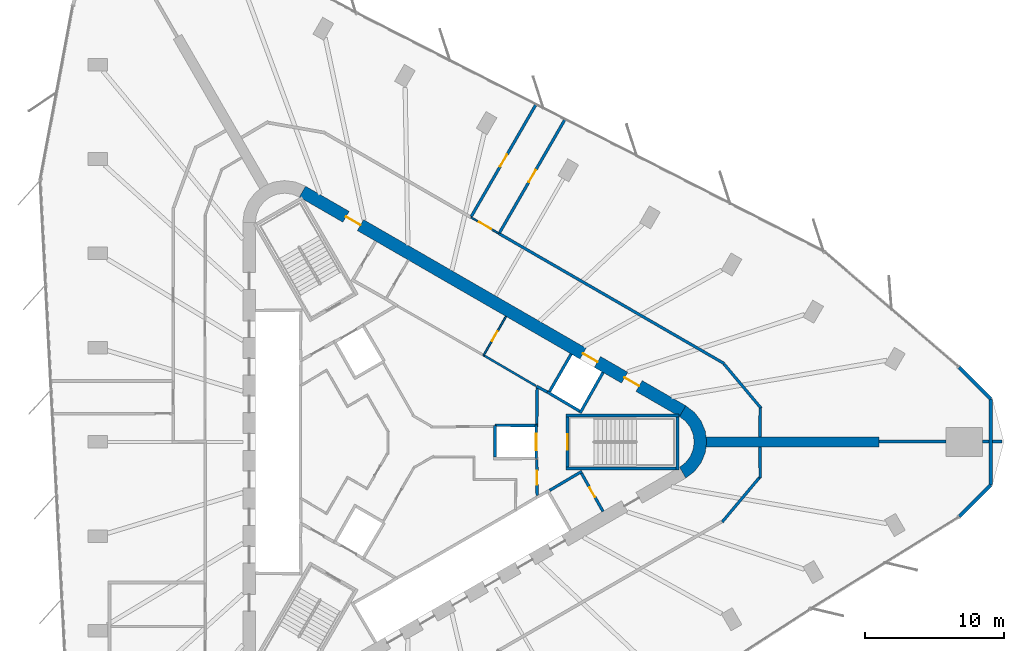
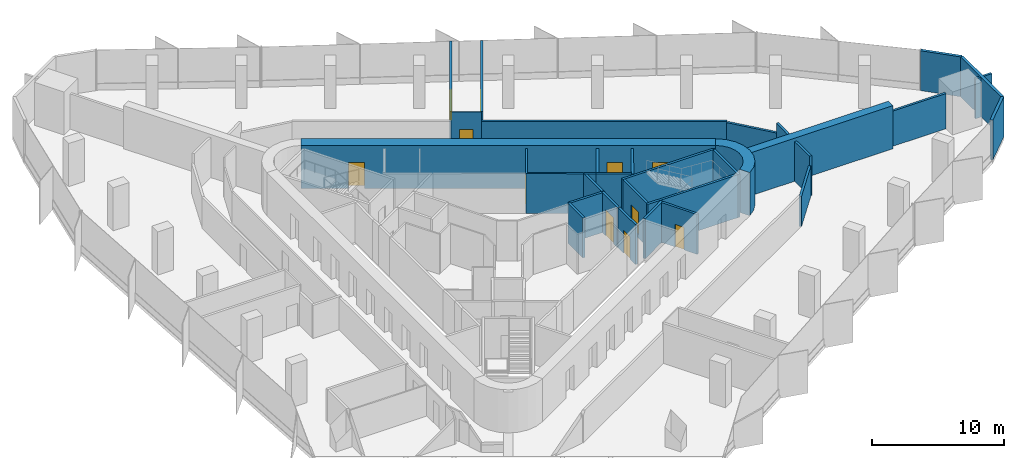
# One storey, part 11 of 13: 34 walls, 11 doors, 11 openings.
"""IFC4 building model written with IfcOpenShell, lengths in metres."""

from ifc_helpers import new_model, si_unit, direction, frame, frame_2d, origin, place, context, subcontext, project, spatial, polyline, rectangle, outline, extrude, material, layer, layer_set, type_object, element, fill, save


model = new_model("IFC4")

# Units and contexts
model_context = context("Model", 3, precision=1e-05, world=origin(), true_north=direction((0.0, 1.0)))
body_context = subcontext(model_context, "Body", "Model", "MODEL_VIEW")
ifc_project = project(units=[si_unit("LENGTHUNIT", "METRE"), si_unit("AREAUNIT", "SQUARE_METRE"), si_unit("VOLUMEUNIT", "CUBIC_METRE"), si_unit("PLANEANGLEUNIT", "RADIAN"), si_unit("MASSUNIT", "GRAM", prefix="KILO")], contexts=[model_context])

# Site, building, storey
site_placement = place(None, origin())
site = spatial("IfcSite", under=ifc_project, at=site_placement, CompositionType="ELEMENT")
building_placement = place(site_placement, origin())
building = spatial("IfcBuilding", under=site, at=building_placement, Name="Tanit Gate Tower", CompositionType="ELEMENT")
storey_placement = place(building_placement, frame((0.0, 0.0, 173.199951171875)))
storey = spatial("IfcBuildingStorey", under=building, at=storey_placement, Name="L37", CompositionType="ELEMENT", Elevation=173.199951171875)

# Wall
ifc_material_1 = material(Name="Concrete C50/60", Category="concrete")
ifc_layer_1 = layer(ifc_material_1, 0.699951171875)
ifc_layer_set_1 = layer_set([ifc_layer_1], Name="BUTTRESS FIN 700 C50/60")
wall_type_1 = type_object("IfcWallType", Name="BUTTRESS FIN 700 C50/60", PredefinedType="SHEAR", material=ifc_layer_set_1)
wall_1_placement = place(storey_placement, frame((21.14990234375, 0.0, 0.0), z_axis=(0.0, 0.0, 1.0), x_axis=(1.0, 0.0, 0.0)))
element("IfcWall", 1, at=wall_1_placement, inside=storey, type_object=wall_type_1, Name="BUTTRESS FIN", PredefinedType="SHEAR", context=body_context, shape_type="SweptSolid", body=[
    extrude(rectangle(XDim=12.4326171875, YDim=0.699951171875, at=frame_2d((6.21630859375, 0.0))), origin(), (0.0, 0.0, 1.0), 4.0),
])

# Wall, openings, doors
ifc_material_2 = material(Name="Concrete C50/60", Category="concrete")
ifc_layer_2 = layer(ifc_material_2, 0.89990234375)
ifc_layer_set_2 = layer_set([ifc_layer_2], Name="CORE WALL 900 C50/60")
wall_type_2 = type_object("IfcWallType", Name="CORE WALL 900 C50/60", PredefinedType="SHEAR", material=ifc_layer_set_2)
wall_2_placement = place(storey_placement, frame((19.47509765625, 2.20849609375, 0.0), z_axis=(0.0, 0.0, 1.0), x_axis=(-0.866028369851, 0.499994862586, 0.0)))
wall_2 = element("IfcWall", 2, at=wall_2_placement, inside=storey, type_object=wall_type_2, Name="CORE WALL", PredefinedType="SHEAR", context=body_context, shape_type="SweptSolid", body=[
    extrude(rectangle(XDim=31.523193359375, YDim=0.89990234375, at=frame_2d((15.76171875, 0.0))), origin(), (0.0, 0.0, 1.0), 4.0),
])
opening_1_placement = place(wall_2_placement, frame((7.0615234375, 0.0, 0.0)))
opening_1 = element("IfcOpeningElement", 3, at=opening_1_placement, cuts=wall_2, Name="Opening LDML8-S09", PredefinedType="OPENING", context=body_context, shape_type="SweptSolid", body=[
    extrude(rectangle(XDim=1.199951171875, YDim=2.39990234375, at=frame_2d((0.60009765625, 1.199951171875))), frame((0.0, 0.4599609375, 0.0), z_axis=(0.0, -1.0, 0.0), x_axis=(1.0, 0.0, 0.0)), (0.0, 0.0, 1.0), 0.919921875),
])
opening_2_placement = place(wall_2_placement, frame((3.611572265625, 0.0, 0.0)))
opening_2 = element("IfcOpeningElement", 4, at=opening_2_placement, cuts=wall_2, Name="Opening F12-S09-FL1", PredefinedType="OPENING", context=body_context, shape_type="SweptSolid", body=[
    extrude(rectangle(XDim=1.199951171875, YDim=2.39990234375, at=frame_2d((0.60009765625, 1.199951171875))), frame((0.0, 0.4599609375, 0.0), z_axis=(0.0, -1.0, 0.0), x_axis=(1.0, 0.0, 0.0)), (0.0, 0.0, 1.0), 0.919921875),
])
opening_3_placement = place(wall_2_placement, frame((26.711669921875, 0.0, 0.0)))
opening_3 = element("IfcOpeningElement", 5, at=opening_3_placement, cuts=wall_2, Name="Opening F12-S09-S2", PredefinedType="OPENING", context=body_context, shape_type="SweptSolid", body=[
    extrude(rectangle(XDim=1.199951171875, YDim=2.39990234375, at=frame_2d((0.60009765625, 1.199951171875))), frame((0.0, 0.4599609375, 0.0), z_axis=(0.0, -1.0, 0.0), x_axis=(1.0, 0.0, 0.0)), (0.0, 0.0, 1.0), 0.919921875),
])
ifc_material_3 = material(Name="Fire-rated steel door leaf", Category="steel")
door_type_1 = type_object("IfcDoorType", Name="INT-DOOR-FIRE-LOBBY-1200", OperationType="NOTDEFINED", PredefinedType="USERDEFINED", material=ifc_material_3)
door_1_placement = place(opening_2_placement, origin())
door_1 = element("IfcDoor", 6, at=door_1_placement, inside=storey, type_object=door_type_1, Name="Door F12-S09-FL1", ObjectType="FIRE DOOR", OperationType="SINGLE_SWING_LEFT", OverallHeight=2.39990234375, OverallWidth=1.199951171875, PredefinedType="USERDEFINED", context=body_context, shape_type="SweptSolid", body=[
    extrude(rectangle(XDim=1.199951171875, YDim=2.39990234375, at=frame_2d((0.60009765625, 1.199951171875))), frame((0.0, 0.02490234375, 0.0), z_axis=(0.0, -1.0, 0.0), x_axis=(1.0, 0.0, 0.0)), (0.0, 0.0, 1.0), 0.050048828125),
])
fill(opening_2, door_1)
door_2_placement = place(opening_3_placement, origin())
door_2 = element("IfcDoor", 7, at=door_2_placement, inside=storey, type_object=door_type_1, Name="Door F12-S09-S2", ObjectType="FIRE DOOR", OperationType="SINGLE_SWING_RIGHT", OverallHeight=2.39990234375, OverallWidth=1.199951171875, PredefinedType="USERDEFINED", context=body_context, shape_type="SweptSolid", body=[
    extrude(rectangle(XDim=1.199951171875, YDim=2.39990234375, at=frame_2d((0.60009765625, 1.199951171875))), frame((0.0, 0.02490234375, 0.0), z_axis=(0.0, -1.0, 0.0), x_axis=(1.0, 0.0, 0.0)), (0.0, 0.0, 1.0), 0.050048828125),
])
fill(opening_3, door_2)
ifc_material_4 = material(Name="Stainless steel sliding door leaf", Category="steel")
door_type_2 = type_object("IfcDoorType", Name="INT-DOOR-LANDING-1200", OperationType="NOTDEFINED", PredefinedType="USERDEFINED", material=ifc_material_4)
door_3_placement = place(opening_1_placement, origin())
door_3 = element("IfcDoor", 8, at=door_3_placement, inside=storey, type_object=door_type_2, Name="Door LDML8-S09", ObjectType="LANDING DOOR", OperationType="SLIDING_TO_LEFT", OverallHeight=2.39990234375, OverallWidth=1.199951171875, PredefinedType="USERDEFINED", context=body_context, shape_type="SweptSolid", body=[
    extrude(rectangle(XDim=1.199951171875, YDim=2.39990234375, at=frame_2d((0.60009765625, 1.199951171875))), frame((0.0, 0.02490234375, 0.0), z_axis=(0.0, -1.0, 0.0), x_axis=(1.0, 0.0, 0.0)), (0.0, 0.0, 1.0), 0.050048828125),
])
fill(opening_1, door_3)

# Walls
wall_3_placement = place(storey_placement, origin())
element("IfcWall", 9, at=wall_3_placement, inside=storey, type_object=wall_type_2, Name="CORE WALL CORNER", PredefinedType="SHEAR", context=body_context, shape_type="SweptSolid", body=[
    extrude(outline(polyline([(19.699951171875, -2.59814453125), (20.3212890625, -2.121337890625), (20.798095703125, -1.5), (21.097900390625, -0.776611328125), (21.199951171875, 0.0), (21.097900390625, 0.776611328125), (20.798095703125, 1.5), (20.3212890625, 2.121337890625), (19.699951171875, 2.59814453125), (19.25, 1.818603515625), (19.684814453125, 1.48486328125), (20.018798828125, 1.050048828125), (20.228515625, 0.54345703125), (20.300048828125, 0.0), (20.228515625, -0.54345703125), (20.018798828125, -1.050048828125), (19.684814453125, -1.48486328125), (19.25, -1.818603515625), (19.699951171875, -2.59814453125)])), origin(), (0.0, 0.0, 1.0), 4.0),
])
ifc_material_5 = material(Name="Concrete C30/37 with bronze anodised aluminium cladding", Category="concrete")
ifc_layer_3 = layer(ifc_material_5, 0.239990234375)
ifc_layer_set_3 = layer_set([ifc_layer_3], Name="Facade wall bronze clad 240")
wall_type_3 = type_object("IfcWallType", Name="Facade wall bronze clad 240", PredefinedType="SOLIDWALL", material=ifc_layer_set_3)
wall_4_placement = place(storey_placement, frame((39.323486328125, -5.360595703125, 0.0), z_axis=(0.0, 0.0, 1.0), x_axis=(0.707106781187, 0.707106781187, 0.0)))
element("IfcWall", 10, at=wall_4_placement, inside=storey, type_object=wall_type_3, Name="Bronze-clad facade wall L37 E.arc1", PredefinedType="SOLIDWALL", context=body_context, shape_type="SweptSolid", body=[
    extrude(rectangle(XDim=3.21484375, YDim=0.239990234375, at=frame_2d((1.607421875, 0.0))), origin(), (0.0, 0.0, 1.0), 3.699951171875),
])
wall_5_placement = place(storey_placement, frame((41.5966796875, -3.08740234375, 0.0), z_axis=(0.0, 0.0, 1.0), x_axis=(0.0, 1.0, 0.0)))
element("IfcWall", 11, at=wall_5_placement, inside=storey, type_object=wall_type_3, Name="Bronze-clad facade wall L37 E.arc2", PredefinedType="SOLIDWALL", context=body_context, shape_type="SweptSolid", body=[
    extrude(rectangle(XDim=6.1748046875, YDim=0.239990234375, at=frame_2d((3.08740234375, 0.0))), origin(), (0.0, 0.0, 1.0), 3.699951171875),
])
wall_6_placement = place(storey_placement, frame((41.5966796875, 3.08740234375, 0.0), z_axis=(0.0, 0.0, 1.0), x_axis=(-0.70714464399, 0.707068916356, 0.0)))
element("IfcWall", 12, at=wall_6_placement, inside=storey, type_object=wall_type_3, Name="Bronze-clad facade wall L37 E.arc3", PredefinedType="SOLIDWALL", context=body_context, shape_type="SweptSolid", body=[
    extrude(rectangle(XDim=3.223876953125, YDim=0.239990234375, at=frame_2d((1.61181640625, 0.0))), origin(), (0.0, 0.0, 1.0), 3.699951171875),
])
ifc_material_6 = material(Name="Fire-rated gypsum board partition")
ifc_layer_4 = layer(ifc_material_6, 0.199951171875)
ifc_layer_set_4 = layer_set([ifc_layer_4], Name="INT-WALL-COMPARTMENT")
wall_type_4 = type_object("IfcWallType", Name="INT-WALL-COMPARTMENT", PredefinedType="PARTITIONING", material=ifc_layer_set_4)
wall_7_placement = place(storey_placement, frame((8.97412109375, 3.998779296875, 0.0), z_axis=(0.0, 0.0, 1.0), x_axis=(0.880917147855, -0.473270513147, 0.0)))
element("IfcWall", 13, at=wall_7_placement, inside=storey, type_object=wall_type_4, Name="Wall Compartment W050", PredefinedType="PARTITIONING", context=body_context, shape_type="SweptSolid", body=[
    extrude(rectangle(XDim=0.8779296875, YDim=0.199951171875, at=frame_2d((0.43896484375, 0.0))), origin(), (0.0, 0.0, 1.0), 3.699951171875),
])
wall_8_placement = place(storey_placement, frame((12.244873046875, -2.10888671875, 0.0), z_axis=(0.0, 0.0, 1.0), x_axis=(-0.860414880418, -0.509594185166, 0.0)))
element("IfcWall", 14, at=wall_8_placement, inside=storey, type_object=wall_type_4, Name="Wall Compartment W057", PredefinedType="PARTITIONING", context=body_context, shape_type="SweptSolid", body=[
    extrude(rectangle(XDim=2.7001953125, YDim=0.199951171875, at=frame_2d((1.35009765625, 0.0))), origin(), (0.0, 0.0, 1.0), 3.699951171875),
])

# Wall, opening, door
wall_9_placement = place(storey_placement, frame((13.758056640625, -4.989501953125, 0.0), z_axis=(0.0, 0.0, 1.0), x_axis=(-0.491993409184, 0.87059892334, 0.0)))
wall_9 = element("IfcWall", 15, at=wall_9_placement, inside=storey, type_object=wall_type_4, Name="Wall Compartment W058", PredefinedType="PARTITIONING", context=body_context, shape_type="SweptSolid", body=[
    extrude(rectangle(XDim=3.150146484375, YDim=0.199951171875, at=frame_2d((1.5751953125, 0.0))), origin(), (0.0, 0.0, 1.0), 3.699951171875),
])
opening_4_placement = place(wall_9_placement, frame((1.175048828125, 0.0, 0.0)))
opening_4 = element("IfcOpeningElement", 16, at=opening_4_placement, cuts=wall_9, Name="Opening R08-S09-15", PredefinedType="OPENING", context=body_context, shape_type="SweptSolid", body=[
    extrude(rectangle(XDim=0.800048828125, YDim=2.10009765625, at=frame_2d((0.39990234375, 1.050048828125))), frame((0.0, 0.10986328125, 0.0), z_axis=(0.0, -1.0, 0.0), x_axis=(1.0, 0.0, 0.0)), (0.0, 0.0, 1.0), 0.219970703125),
])
ifc_material_7 = material(Name="Timber door leaf", Category="wood")
door_type_3 = type_object("IfcDoorType", Name="INT-DOOR-RISER-800", OperationType="NOTDEFINED", PredefinedType="USERDEFINED", material=ifc_material_7)
door_4_placement = place(opening_4_placement, origin())
door_4 = element("IfcDoor", 17, at=door_4_placement, inside=storey, type_object=door_type_3, Name="Door R08-S09-15", ObjectType="FIRE DOOR", OperationType="SINGLE_SWING_RIGHT", OverallHeight=2.10009765625, OverallWidth=0.800048828125, PredefinedType="USERDEFINED", context=body_context, shape_type="SweptSolid", body=[
    extrude(rectangle(XDim=0.800048828125, YDim=2.10009765625, at=frame_2d((0.39990234375, 1.050048828125))), frame((0.0, 0.02490234375, 0.0), z_axis=(0.0, -1.0, 0.0), x_axis=(1.0, 0.0, 0.0)), (0.0, 0.0, 1.0), 0.050048828125),
])
fill(opening_4, door_4)

# Wall
wall_10_placement = place(storey_placement, frame((9.0009765625, 1.27001953125, 0.0), z_axis=(0.0, 0.0, 1.0), x_axis=(0.01074821465, 0.999942236273, 0.0)))
element("IfcWall", 18, at=wall_10_placement, inside=storey, type_object=wall_type_4, Name="Wall Compartment W059", PredefinedType="PARTITIONING", context=body_context, shape_type="SweptSolid", body=[
    extrude(rectangle(XDim=2.725830078125, YDim=0.199951171875, at=frame_2d((1.36279296875, 0.0))), origin(), (0.0, 0.0, 1.0), 3.699951171875),
])

# Wall, opening, door
wall_11_placement = place(storey_placement, frame((9.02880859375, -3.850830078125, 0.0), z_axis=(0.0, 0.0, 1.0), x_axis=(-0.010783593937, 0.99994185536, 0.0)))
wall_11 = element("IfcWall", 19, at=wall_11_placement, inside=storey, type_object=wall_type_4, Name="Wall Compartment W060", PredefinedType="PARTITIONING", context=body_context, shape_type="SweptSolid", body=[
    extrude(rectangle(XDim=2.5810546875, YDim=0.199951171875, at=frame_2d((1.29052734375, 0.0))), origin(), (0.0, 0.0, 1.0), 3.699951171875),
])
opening_5_placement = place(wall_11_placement, frame((0.79052734375, 0.0, 0.0)))
opening_5 = element("IfcOpeningElement", 20, at=opening_5_placement, cuts=wall_11, Name="Opening F10-S09-02", PredefinedType="OPENING", context=body_context, shape_type="SweptSolid", body=[
    extrude(rectangle(XDim=1.0, YDim=2.10009765625, at=frame_2d((0.5, 1.050048828125))), frame((0.0, 0.10986328125, 0.0), z_axis=(0.0, -1.0, 0.0), x_axis=(1.0, 0.0, 0.0)), (0.0, 0.0, 1.0), 0.219970703125),
])
ifc_material_8 = material(Name="Fire-rated steel door leaf", Category="steel")
door_type_4 = type_object("IfcDoorType", Name="INT-DOOR-FIRE-1000", OperationType="NOTDEFINED", PredefinedType="USERDEFINED", material=ifc_material_8)
door_5_placement = place(opening_5_placement, origin())
door_5 = element("IfcDoor", 21, at=door_5_placement, inside=storey, type_object=door_type_4, Name="Door F10-S09-02", ObjectType="FIRE DOOR", OperationType="SINGLE_SWING_LEFT", OverallHeight=2.10009765625, OverallWidth=1.0, PredefinedType="USERDEFINED", context=body_context, shape_type="SweptSolid", body=[
    extrude(rectangle(XDim=1.0, YDim=2.10009765625, at=frame_2d((0.5, 1.050048828125))), frame((0.0, 0.02490234375, 0.0), z_axis=(0.0, -1.0, 0.0), x_axis=(1.0, 0.0, 0.0)), (0.0, 0.0, 1.0), 0.050048828125),
])
fill(opening_5, door_5)

# Walls
wall_12_placement = place(storey_placement, frame((22.466064453125, 5.619873046875, 0.0), z_axis=(0.0, 0.0, 1.0), x_axis=(-0.866024667879, 0.500001274624, 0.0)))
element("IfcWall", 22, at=wall_12_placement, inside=storey, type_object=wall_type_4, Name="Wall Compartment W101", PredefinedType="PARTITIONING", context=body_context, shape_type="SweptSolid", body=[
    extrude(rectangle(XDim=18.6962890625, YDim=0.199951171875, at=frame_2d((9.34814453125, 0.0))), origin(), (0.0, 0.0, 1.0), 2.880126953125),
])
wall_13_placement = place(storey_placement, frame((25.12109375, 2.40283203125, 0.0), z_axis=(0.0, 0.0, 1.0), x_axis=(-0.642809831665, 0.766025796116, 0.0)))
element("IfcWall", 23, at=wall_13_placement, inside=storey, type_object=wall_type_4, Name="Wall Compartment W102", PredefinedType="PARTITIONING", context=body_context, shape_type="SweptSolid", body=[
    extrude(rectangle(XDim=4.164794921875, YDim=0.199951171875, at=frame_2d((2.08251953125, 0.0))), origin(), (0.0, 0.0, 1.0), 2.780029296875),
])
wall_14_placement = place(storey_placement, frame((25.0205078125, 0.35009765625, 0.0), z_axis=(0.0, 0.0, 1.0), x_axis=(0.012014998271, 0.999927817303, 0.0)))
element("IfcWall", 24, at=wall_14_placement, inside=storey, type_object=wall_type_4, Name="Wall Compartment W103", PredefinedType="PARTITIONING", context=body_context, shape_type="SweptSolid", body=[
    extrude(rectangle(XDim=2.093017578125, YDim=0.199951171875, at=frame_2d((1.04638671875, 0.0))), origin(), (0.0, 0.0, 1.0), 3.699951171875),
])
wall_15_placement = place(storey_placement, frame((25.047607421875, -2.608154296875, 0.0), z_axis=(0.0, 0.0, 1.0), x_axis=(-0.012000433251, 0.999927992208, 0.0)))
element("IfcWall", 25, at=wall_15_placement, inside=storey, type_object=wall_type_4, Name="Wall Compartment W105", PredefinedType="PARTITIONING", context=body_context, shape_type="SweptSolid", body=[
    extrude(rectangle(XDim=2.25830078125, YDim=0.199951171875, at=frame_2d((1.129150390625, 0.0))), origin(), (0.0, 0.0, 1.0), 3.699951171875),
])
wall_16_placement = place(storey_placement, frame((22.315185546875, -5.746337890625, 0.0), z_axis=(0.0, 0.0, 1.0), x_axis=(0.642828004621, 0.76601054593, 0.0)))
element("IfcWall", 26, at=wall_16_placement, inside=storey, type_object=wall_type_4, Name="Wall Compartment W106", PredefinedType="PARTITIONING", context=body_context, shape_type="SweptSolid", body=[
    extrude(rectangle(XDim=4.19970703125, YDim=0.199951171875, at=frame_2d((2.099853515625, 0.0))), origin(), (0.0, 0.0, 1.0), 2.780029296875),
])

# Wall, opening, door
wall_17_placement = place(storey_placement, frame((8.941162109375, 24.2265625, 0.0), z_axis=(0.0, 0.0, 1.0), x_axis=(-0.500002216581, -0.866024124037, 0.0)))
wall_17 = element("IfcWall", 27, at=wall_17_placement, inside=storey, type_object=wall_type_4, Name="Wall Compartment W123", PredefinedType="PARTITIONING", context=body_context, shape_type="SweptSolid", body=[
    extrude(rectangle(XDim=9.29150390625, YDim=0.199951171875, at=frame_2d((4.645751953125, 0.0))), origin(), (0.0, 0.0, 1.0), 3.699951171875),
])
opening_6_placement = place(wall_17_placement, frame((4.145751953125, 0.0, 0.0)))
opening_6 = element("IfcOpeningElement", 28, at=opening_6_placement, cuts=wall_17, Name="Opening F10-S09-26", PredefinedType="OPENING", context=body_context, shape_type="SweptSolid", body=[
    extrude(rectangle(XDim=1.0, YDim=2.10009765625, at=frame_2d((0.5, 1.050048828125))), frame((0.0, 0.10986328125, 0.0), z_axis=(0.0, -1.0, 0.0), x_axis=(1.0, 0.0, 0.0)), (0.0, 0.0, 1.0), 0.219970703125),
])
door_6_placement = place(opening_6_placement, origin())
door_6 = element("IfcDoor", 29, at=door_6_placement, inside=storey, type_object=door_type_4, Name="Door F10-S09-26", ObjectType="FIRE DOOR", OperationType="SINGLE_SWING_RIGHT", OverallHeight=2.10009765625, OverallWidth=1.0, PredefinedType="USERDEFINED", context=body_context, shape_type="SweptSolid", body=[
    extrude(rectangle(XDim=1.0, YDim=2.10009765625, at=frame_2d((0.5, 1.050048828125))), frame((0.0, 0.02490234375, 0.0), z_axis=(0.0, -1.0, 0.0), x_axis=(1.0, 0.0, 0.0)), (0.0, 0.0, 1.0), 0.050048828125),
])
fill(opening_6, door_6)

wall_18_placement = place(storey_placement, frame((6.322021484375, 15.010009765625, 0.0), z_axis=(0.0, 0.0, 1.0), x_axis=(0.500005339912, 0.866022320763, 0.0)))
wall_18 = element("IfcWall", 30, at=wall_18_placement, inside=storey, type_object=wall_type_4, Name="Wall Compartment W124", PredefinedType="PARTITIONING", context=body_context, shape_type="SweptSolid", body=[
    extrude(rectangle(XDim=9.4130859375, YDim=0.199951171875, at=frame_2d((4.70654296875, 0.0))), origin(), (0.0, 0.0, 1.0), 3.699951171875),
])
opening_7_placement = place(wall_18_placement, frame((4.20654296875, 0.0, 0.0)))
opening_7 = element("IfcOpeningElement", 31, at=opening_7_placement, cuts=wall_18, Name="Opening F10-S09-27", PredefinedType="OPENING", context=body_context, shape_type="SweptSolid", body=[
    extrude(rectangle(XDim=1.0, YDim=2.10009765625, at=frame_2d((0.5, 1.050048828125))), frame((0.0, 0.10986328125, 0.0), z_axis=(0.0, -1.0, 0.0), x_axis=(1.0, 0.0, 0.0)), (0.0, 0.0, 1.0), 0.219970703125),
])
door_7_placement = place(opening_7_placement, origin())
door_7 = element("IfcDoor", 32, at=door_7_placement, inside=storey, type_object=door_type_4, Name="Door F10-S09-27", ObjectType="FIRE DOOR", OperationType="SINGLE_SWING_RIGHT", OverallHeight=2.10009765625, OverallWidth=1.0, PredefinedType="USERDEFINED", context=body_context, shape_type="SweptSolid", body=[
    extrude(rectangle(XDim=1.0, YDim=2.10009765625, at=frame_2d((0.5, 1.050048828125))), frame((0.0, 0.02490234375, 0.0), z_axis=(0.0, -1.0, 0.0), x_axis=(1.0, 0.0, 0.0)), (0.0, 0.0, 1.0), 0.050048828125),
])
fill(opening_7, door_7)

# Walls
wall_19_placement = place(storey_placement, frame((33.58251953125, 0.030029296875, 0.0), z_axis=(0.0, 0.0, 1.0), x_axis=(1.0, 0.0, 0.0)))
element("IfcWall", 33, at=wall_19_placement, inside=storey, type_object=wall_type_4, Name="Wall Compartment W125", PredefinedType="PARTITIONING", context=body_context, shape_type="SweptSolid", body=[
    extrude(rectangle(XDim=4.815673828125, YDim=0.199951171875, at=frame_2d((2.40771484375, 0.0))), origin(), (0.0, 0.0, 1.0), 3.27001953125),
])
wall_20_placement = place(storey_placement, frame((40.998046875, 0.030029296875, 0.0), z_axis=(0.0, 0.0, 1.0), x_axis=(1.0, 0.0, 0.0)))
element("IfcWall", 34, at=wall_20_placement, inside=storey, type_object=wall_type_4, Name="Wall Compartment W126", PredefinedType="PARTITIONING", context=body_context, shape_type="SweptSolid", body=[
    extrude(rectangle(XDim=0.478515625, YDim=0.199951171875, at=frame_2d((0.2392578125, 0.0))), origin(), (0.0, 0.0, 1.0), 3.699951171875),
])
wall_21_placement = place(storey_placement, frame((41.716552734375, 0.030029296875, 0.0), z_axis=(0.0, 0.0, 1.0), x_axis=(1.0, 0.0, 0.0)))
element("IfcWall", 35, at=wall_21_placement, inside=storey, type_object=wall_type_4, Name="Wall Compartment W126x1", PredefinedType="PARTITIONING", context=body_context, shape_type="SweptSolid", body=[
    extrude(rectangle(XDim=0.69921875, YDim=0.199951171875, at=frame_2d((0.349609375, 0.0))), origin(), (0.0, 0.0, 1.0), 3.699951171875),
])

# Wall, opening, door
ifc_material_9 = material(Name="Gypsum board partition")
ifc_layer_5 = layer(ifc_material_9, 0.1201171875)
ifc_layer_set_5 = layer_set([ifc_layer_5], Name="INT-WALL-PARTITION")
wall_type_5 = type_object("IfcWallType", Name="INT-WALL-PARTITION", PredefinedType="PARTITIONING", material=ifc_layer_set_5)
wall_22_placement = place(storey_placement, frame((5.170166015625, 6.19482421875, 0.0), z_axis=(0.0, 0.0, 1.0), x_axis=(0.499984717929, 0.866034226713, 0.0)))
wall_22 = element("IfcWall", 36, at=wall_22_placement, inside=storey, type_object=wall_type_5, Name="Wall Partition W049", PredefinedType="PARTITIONING", context=body_context, shape_type="SweptSolid", body=[
    extrude(rectangle(XDim=3.25, YDim=0.1201171875, at=frame_2d((1.625, 0.0))), origin(), (0.0, 0.0, 1.0), 3.699951171875),
])
opening_8_placement = place(wall_22_placement, frame((1.22509765625, 0.0, 0.0)))
opening_8 = element("IfcOpeningElement", 37, at=opening_8_placement, cuts=wall_22, Name="Opening R08-S09-13", PredefinedType="OPENING", context=body_context, shape_type="SweptSolid", body=[
    extrude(rectangle(XDim=0.800048828125, YDim=2.10009765625, at=frame_2d((0.39990234375, 1.050048828125))), frame((0.0, 0.070068359375, 0.0), z_axis=(0.0, -1.0, 0.0), x_axis=(1.0, 0.0, 0.0)), (0.0, 0.0, 1.0), 0.14013671875),
])
door_8_placement = place(opening_8_placement, origin())
door_8 = element("IfcDoor", 38, at=door_8_placement, inside=storey, type_object=door_type_3, Name="Door R08-S09-13", ObjectType="FIRE DOOR", OperationType="SINGLE_SWING_LEFT", OverallHeight=2.10009765625, OverallWidth=0.800048828125, PredefinedType="USERDEFINED", context=body_context, shape_type="SweptSolid", body=[
    extrude(rectangle(XDim=0.800048828125, YDim=2.10009765625, at=frame_2d((0.39990234375, 1.050048828125))), frame((0.0, 0.02490234375, 0.0), z_axis=(0.0, -1.0, 0.0), x_axis=(1.0, 0.0, 0.0)), (0.0, 0.0, 1.0), 0.050048828125),
])
fill(opening_8, door_8)

wall_23_placement = place(storey_placement, frame((6.274658203125, 14.968017578125, 0.0), z_axis=(0.0, 0.0, 1.0), x_axis=(-0.866053019151, 0.499952165731, 0.0)))
wall_23 = element("IfcWall", 39, at=wall_23_placement, inside=storey, type_object=wall_type_5, Name="Wall Partition W097", PredefinedType="PARTITIONING", context=body_context, shape_type="SweptSolid", body=[
    extrude(rectangle(XDim=2.300048828125, YDim=0.1201171875, at=frame_2d((1.14990234375, 0.0))), origin(), (0.0, 0.0, 1.0), 3.699951171875),
])
opening_9_placement = place(wall_23_placement, frame((0.64990234375, 0.0, 0.0)))
opening_9 = element("IfcOpeningElement", 40, at=opening_9_placement, cuts=wall_23, Name="Opening D10-S09-18", PredefinedType="OPENING", context=body_context, shape_type="SweptSolid", body=[
    extrude(rectangle(XDim=1.0, YDim=2.10009765625, at=frame_2d((0.5, 1.050048828125))), frame((0.0, 0.070068359375, 0.0), z_axis=(0.0, -1.0, 0.0), x_axis=(1.0, 0.0, 0.0)), (0.0, 0.0, 1.0), 0.14013671875),
])
ifc_material_10 = material(Name="Timber door leaf", Category="wood")
door_type_5 = type_object("IfcDoorType", Name="INT-DOOR-SINGLE-1000", OperationType="NOTDEFINED", PredefinedType="NOTDEFINED", material=ifc_material_10)
door_9_placement = place(opening_9_placement, origin())
door_9 = element("IfcDoor", 41, at=door_9_placement, inside=storey, type_object=door_type_5, Name="Door D10-S09-18", OperationType="SINGLE_SWING_RIGHT", OverallHeight=2.10009765625, OverallWidth=1.0, PredefinedType="NOTDEFINED", context=body_context, shape_type="SweptSolid", body=[
    extrude(rectangle(XDim=1.0, YDim=2.10009765625, at=frame_2d((0.5, 1.050048828125))), frame((0.0, 0.02490234375, 0.0), z_axis=(0.0, -1.0, 0.0), x_axis=(1.0, 0.0, 0.0)), (0.0, 0.0, 1.0), 0.050048828125),
])
fill(opening_9, door_9)

# Walls
ifc_material_11 = material(Name="Fire-rated gypsum board partition")
ifc_layer_6 = layer(ifc_material_11, 0.14990234375)
ifc_layer_set_6 = layer_set([ifc_layer_6], Name="INT-WALL-RISER")
wall_type_6 = type_object("IfcWallType", Name="INT-WALL-RISER", PredefinedType="PLUMBINGWALL", material=ifc_layer_set_6)
wall_24_placement = place(storey_placement, frame((8.9306640625, 4.024658203125, 0.0), z_axis=(0.0, 0.0, 1.0), x_axis=(-0.862666884027, 0.505772525157, 0.0)))
element("IfcWall", 42, at=wall_24_placement, inside=storey, type_object=wall_type_6, Name="Wall Riser W051", PredefinedType="PLUMBINGWALL", context=body_context, shape_type="SweptSolid", body=[
    extrude(rectangle(XDim=4.371826171875, YDim=0.14990234375, at=frame_2d((2.18603515625, 0.0))), origin(), (0.0, 0.0, 1.0), 3.699951171875),
])
ifc_material_12 = material(Name="Gypsum shaft wall system")
ifc_layer_7 = layer(ifc_material_12, 0.199951171875)
ifc_layer_set_7 = layer_set([ifc_layer_7], Name="INT-WALL-SHAFT")
wall_type_7 = type_object("IfcWallType", Name="INT-WALL-SHAFT", PredefinedType="PLUMBINGWALL", material=ifc_layer_set_7)
wall_25_placement = place(storey_placement, frame((9.8466796875, 3.494873046875, 0.0), z_axis=(0.0, 0.0, 1.0), x_axis=(0.499984717929, 0.866034226713, 0.0)))
element("IfcWall", 43, at=wall_25_placement, inside=storey, type_object=wall_type_7, Name="Wall Shaft W012", PredefinedType="PLUMBINGWALL", context=body_context, shape_type="SweptSolid", body=[
    extrude(rectangle(XDim=3.25, YDim=0.199951171875, at=frame_2d((1.625, 0.0))), origin(), (0.0, 0.0, 1.0), 3.699951171875),
])
wall_26_placement = place(storey_placement, frame((12.10986328125, 2.07275390625, 0.0), z_axis=(0.0, 0.0, 1.0), x_axis=(0.49196600604, 0.870614408852, 0.0)))
element("IfcWall", 44, at=wall_26_placement, inside=storey, type_object=wall_type_7, Name="Wall Shaft W013", PredefinedType="PLUMBINGWALL", context=body_context, shape_type="SweptSolid", body=[
    extrude(rectangle(XDim=3.35009765625, YDim=0.199951171875, at=frame_2d((1.675048828125, 0.0))), origin(), (0.0, 0.0, 1.0), 3.699951171875),
])
wall_27_placement = place(storey_placement, frame((12.072998046875, 2.2109375, 0.0), z_axis=(0.0, 0.0, 1.0), x_axis=(-0.860414880418, 0.509594185166, 0.0)))
element("IfcWall", 45, at=wall_27_placement, inside=storey, type_object=wall_type_7, Name="Wall Shaft W014", PredefinedType="PLUMBINGWALL", context=body_context, shape_type="SweptSolid", body=[
    extrude(rectangle(XDim=2.7001953125, YDim=0.199951171875, at=frame_2d((1.35009765625, 0.0))), origin(), (0.0, 0.0, 1.0), 3.699951171875),
])

# Wall, opening, door
wall_28_placement = place(storey_placement, frame((8.969970703125, 1.199951171875, 0.0), z_axis=(0.0, 0.0, 1.0), x_axis=(0.0, -1.0, 0.0)))
wall_28 = element("IfcWall", 46, at=wall_28_placement, inside=storey, type_object=wall_type_7, Name="Wall Shaft W029", PredefinedType="PLUMBINGWALL", context=body_context, shape_type="SweptSolid", body=[
    extrude(rectangle(XDim=2.39990234375, YDim=0.199951171875, at=frame_2d((1.199951171875, 0.0))), origin(), (0.0, 0.0, 1.0), 3.699951171875),
])
opening_10_placement = place(wall_28_placement, frame((0.60009765625, 0.0, 0.0)))
opening_10 = element("IfcOpeningElement", 47, at=opening_10_placement, cuts=wall_28, Name="Opening LDFL1-L37", PredefinedType="OPENING", context=body_context, shape_type="SweptSolid", body=[
    extrude(rectangle(XDim=1.199951171875, YDim=2.39990234375, at=frame_2d((0.60009765625, 1.199951171875))), frame((0.0, 0.10986328125, 0.0), z_axis=(0.0, -1.0, 0.0), x_axis=(1.0, 0.0, 0.0)), (0.0, 0.0, 1.0), 0.219970703125),
])
door_10_placement = place(opening_10_placement, origin())
door_10 = element("IfcDoor", 48, at=door_10_placement, inside=storey, type_object=door_type_2, Name="Door LDFL1-L37", ObjectType="LANDING DOOR", OperationType="SLIDING_TO_LEFT", OverallHeight=2.39990234375, OverallWidth=1.199951171875, PredefinedType="USERDEFINED", context=body_context, shape_type="SweptSolid", body=[
    extrude(rectangle(XDim=1.199951171875, YDim=2.39990234375, at=frame_2d((0.60009765625, 1.199951171875))), frame((0.0, 0.02490234375, 0.0), z_axis=(0.0, -1.0, 0.0), x_axis=(1.0, 0.0, 0.0)), (0.0, 0.0, 1.0), 0.050048828125),
])
fill(opening_10, door_10)

# Walls
wall_29_placement = place(storey_placement, frame((6.0, 1.199951171875, 0.0), z_axis=(0.0, 0.0, 1.0), x_axis=(0.999949988, -0.010001074852, 0.0)))
element("IfcWall", 49, at=wall_29_placement, inside=storey, type_object=wall_type_7, Name="Wall Shaft W030", PredefinedType="PLUMBINGWALL", context=body_context, shape_type="SweptSolid", body=[
    extrude(rectangle(XDim=3.100341796875, YDim=0.199951171875, at=frame_2d((1.55029296875, 0.0))), origin(), (0.0, 0.0, 1.0), 3.699951171875),
])
wall_30_placement = place(storey_placement, frame((6.0, -1.10009765625, 0.0), z_axis=(0.0, 0.0, 1.0), x_axis=(0.0, 1.0, 0.0)))
element("IfcWall", 50, at=wall_30_placement, inside=storey, type_object=wall_type_7, Name="Wall Shaft W032", PredefinedType="PLUMBINGWALL", context=body_context, shape_type="SweptSolid", body=[
    extrude(rectangle(XDim=2.279541015625, YDim=0.199951171875, at=frame_2d((1.1396484375, 0.0))), origin(), (0.0, 0.0, 1.0), 3.699951171875),
])
ifc_material_13 = material(Name="Concrete C40/50", Category="concrete")
ifc_layer_8 = layer(ifc_material_13, 0.199951171875)
ifc_layer_set_8 = layer_set([ifc_layer_8], Name="INT-WALL-STAIR")
wall_type_8 = type_object("IfcWallType", Name="INT-WALL-STAIR", PredefinedType="SHEAR", material=ifc_layer_set_8)
wall_31_placement = place(storey_placement, frame((19.199951171875, 1.89990234375, -0.300048828125), z_axis=(0.0, 0.0, 1.0), x_axis=(-1.0, 0.0, 0.0)))
element("IfcWall", 51, at=wall_31_placement, inside=storey, type_object=wall_type_8, Name="Wall Stair W025", PredefinedType="SHEAR", context=body_context, shape_type="SweptSolid", body=[
    extrude(rectangle(XDim=8.099853515625, YDim=0.199951171875, at=frame_2d((4.0498046875, 0.0))), origin(), (0.0, 0.0, 1.0), 4.0),
])
wall_32_placement = place(storey_placement, frame((19.10009765625, -2.0, -0.300048828125), z_axis=(0.0, 0.0, 1.0), x_axis=(0.0, 1.0, 0.0)))
element("IfcWall", 52, at=wall_32_placement, inside=storey, type_object=wall_type_8, Name="Wall Stair W026", PredefinedType="SHEAR", context=body_context, shape_type="SweptSolid", body=[
    extrude(rectangle(XDim=3.800048828125, YDim=0.199951171875, at=frame_2d((1.89990234375, 0.0))), origin(), (0.0, 0.0, 1.0), 4.0),
])
wall_33_placement = place(storey_placement, frame((11.10009765625, -1.89990234375, -0.300048828125), z_axis=(0.0, 0.0, 1.0), x_axis=(1.0, 0.0, 0.0)))
element("IfcWall", 53, at=wall_33_placement, inside=storey, type_object=wall_type_8, Name="Wall Stair W027", PredefinedType="SHEAR", context=body_context, shape_type="SweptSolid", body=[
    extrude(rectangle(XDim=7.89990234375, YDim=0.199951171875, at=frame_2d((3.949951171875, 0.0))), origin(), (0.0, 0.0, 1.0), 4.0),
])

# Wall, opening, door
wall_34_placement = place(storey_placement, frame((11.199951171875, -1.800048828125, -0.300048828125), z_axis=(0.0, 0.0, 1.0), x_axis=(0.0, 1.0, 0.0)))
wall_34 = element("IfcWall", 54, at=wall_34_placement, inside=storey, type_object=wall_type_8, Name="Wall Stair W028", PredefinedType="SHEAR", context=body_context, shape_type="SweptSolid", body=[
    extrude(rectangle(XDim=3.60009765625, YDim=0.199951171875, at=frame_2d((1.800048828125, 0.0))), origin(), (0.0, 0.0, 1.0), 4.0),
])
opening_11_placement = place(wall_34_placement, frame((1.25, 0.0, 0.300048828125)))
opening_11 = element("IfcOpeningElement", 55, at=opening_11_placement, cuts=wall_34, Name="Opening S11-S09-01", PredefinedType="OPENING", context=body_context, shape_type="SweptSolid", body=[
    extrude(rectangle(XDim=1.10009765625, YDim=2.10009765625, at=frame_2d((0.550048828125, 1.050048828125))), frame((0.0, 0.10986328125, 0.0), z_axis=(0.0, -1.0, 0.0), x_axis=(1.0, 0.0, 0.0)), (0.0, 0.0, 1.0), 0.219970703125),
])
ifc_material_14 = material(Name="Timber door leaf", Category="wood")
door_type_6 = type_object("IfcDoorType", Name="INT-DOOR-STAIR-1100", OperationType="NOTDEFINED", PredefinedType="USERDEFINED", material=ifc_material_14)
door_11_placement = place(opening_11_placement, origin())
door_11 = element("IfcDoor", 56, at=door_11_placement, inside=storey, type_object=door_type_6, Name="Door S11-S09-01", ObjectType="FIRE DOOR", OperationType="SINGLE_SWING_LEFT", OverallHeight=2.10009765625, OverallWidth=1.10009765625, PredefinedType="USERDEFINED", context=body_context, shape_type="SweptSolid", body=[
    extrude(rectangle(XDim=1.10009765625, YDim=2.10009765625, at=frame_2d((0.550048828125, 1.050048828125))), frame((0.0, 0.02490234375, 0.0), z_axis=(0.0, -1.0, 0.0), x_axis=(1.0, 0.0, 0.0)), (0.0, 0.0, 1.0), 0.050048828125),
])
fill(opening_11, door_11)

save(model, "model.ifc")
